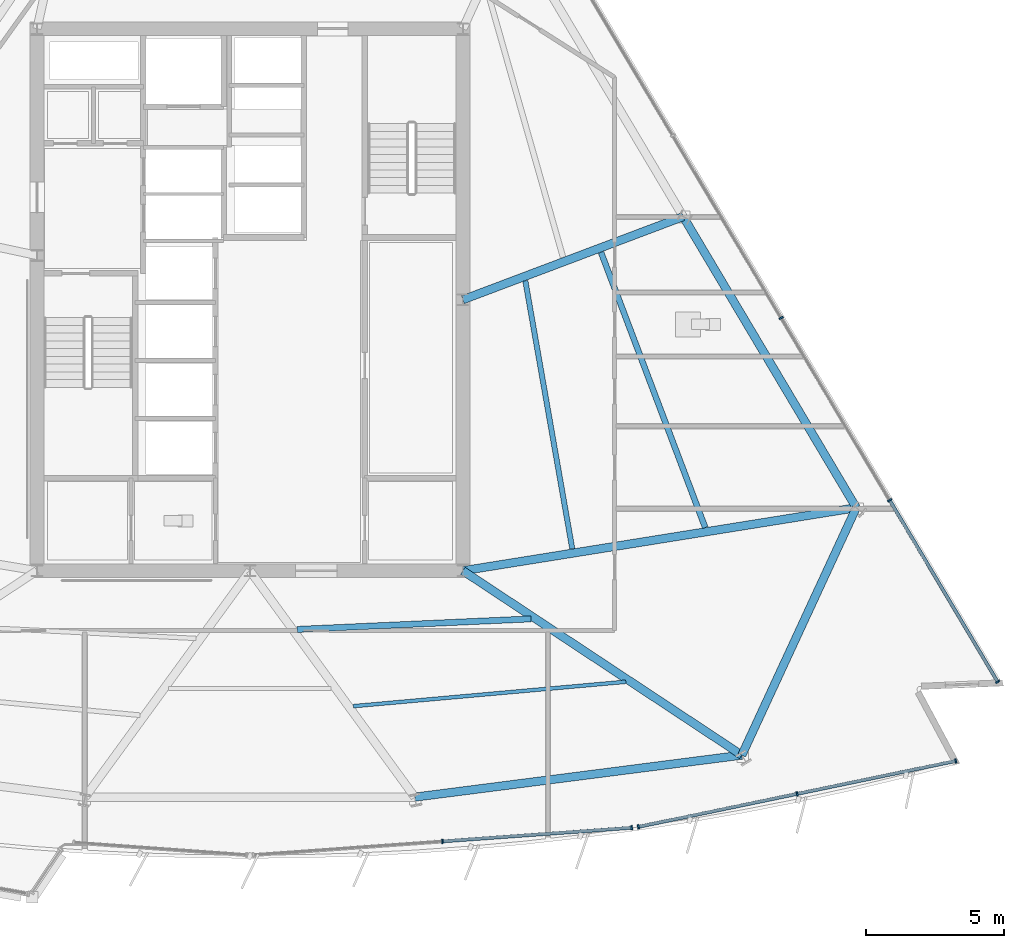
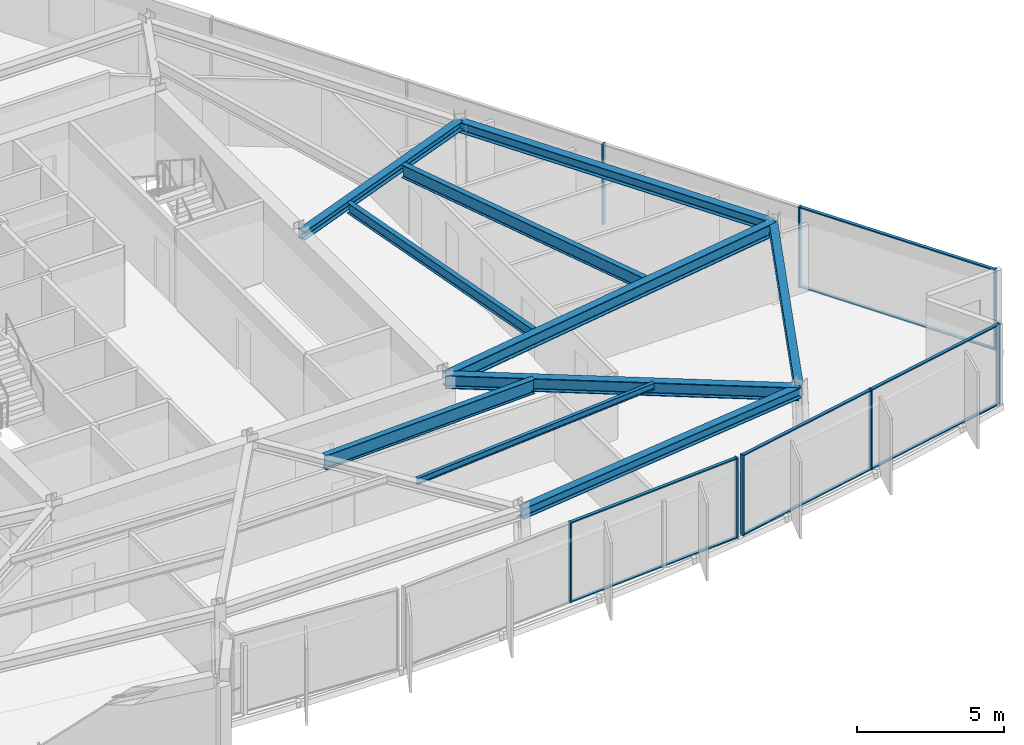
# One storey, part 5 of 16: 16 members, 10 beams, 3 elements without a shape of their own.
"""IFC4 building model written with IfcOpenShell, lengths in metres."""

from ifc_helpers import new_model, si_unit, direction, frame, origin, origin_2d, place, context, subcontext, project, spatial, rectangle, i_section, extrude, material, material_profile, profile_set, type_object, element, aggregate, save


model = new_model("IFC4")

# Units and contexts
model_context = context("Model", 3, precision=1e-05, world=origin(), true_north=direction((0.0, 1.0)))
body_context = subcontext(model_context, "Body", "Model", "MODEL_VIEW")
ifc_project = project(units=[si_unit("LENGTHUNIT", "METRE"), si_unit("AREAUNIT", "SQUARE_METRE"), si_unit("VOLUMEUNIT", "CUBIC_METRE"), si_unit("PLANEANGLEUNIT", "RADIAN"), si_unit("MASSUNIT", "GRAM", prefix="KILO")], contexts=[model_context])

# Site, building, storey
site_placement = place(None, origin())
site = spatial("IfcSite", under=ifc_project, at=site_placement, CompositionType="ELEMENT")
building_placement = place(site_placement, origin())
building = spatial("IfcBuilding", under=site, at=building_placement, Name="Savorim Split Tower", CompositionType="ELEMENT")
storey_placement = place(building_placement, frame((0.0, 0.0, 153.0)))
storey = spatial("IfcBuildingStorey", under=building, at=storey_placement, Name="L40", CompositionType="ELEMENT", Elevation=153.0)

# Beams
ifc_material_1 = material(Name="Steel S355", Category="steel")
ifc_material_profile_1 = material_profile(ifc_material_1, i_section(OverallWidth=0.135009765625, OverallDepth=0.27001953125, WebThickness=0.006591796875, FlangeThickness=0.01025390625, FilletRadius=0.014892578125, at=origin_2d()), Name="IPE 270")
ifc_profile_set_1 = profile_set([ifc_material_profile_1], Name="Steel S355")
beam_type_1 = type_object("IfcBeamType", Name="BM-JST-IPE270", PredefinedType="JOIST", material=ifc_profile_set_1)
beam_1_placement = place(storey_placement, frame((3.73583984375, -14.296875, 3.215087890625), z_axis=(0.996016445772, 0.089169724411, 0.0), x_axis=(-0.089169724411, 0.996016445772, 0.0)))
element("IfcBeam", 1, at=beam_1_placement, inside=storey, type_object=beam_type_1, Name="L40 Secondary Floor Joist JS-04", PredefinedType="JOIST", context=body_context, shape_type="SweptSolid", body=[
    extrude(i_section(OverallWidth=0.135009765625, OverallDepth=0.27001953125, WebThickness=0.006591796875, FlangeThickness=0.01025390625, FilletRadius=0.014892578125, at=origin_2d()), origin(), (0.0, 0.0, 1.0), 9.894775390625),
])
ifc_material_profile_2 = material_profile(ifc_material_1, i_section(OverallWidth=0.18994140625, OverallDepth=0.449951171875, WebThickness=0.009521484375, FlangeThickness=0.0146484375, FilletRadius=0.02099609375, at=origin_2d()), Name="IPE 450")
ifc_profile_set_2 = profile_set([ifc_material_profile_2], Name="Steel S355")
beam_type_2 = type_object("IfcBeamType", Name="BM-JST-IPE450", PredefinedType="JOIST", material=ifc_profile_set_2)
beam_2_placement = place(storey_placement, frame((11.65478515625, -8.60400390625, 3.125), z_axis=(-0.172544712142, 0.985001686451, 0.0), x_axis=(-0.985001686451, -0.172544712142, 0.0)))
element("IfcBeam", 2, at=beam_2_placement, inside=storey, type_object=beam_type_2, Name="L40 Secondary Floor Joist JS-08", PredefinedType="JOIST", context=body_context, shape_type="SweptSolid", body=[
    extrude(i_section(OverallWidth=0.18994140625, OverallDepth=0.449951171875, WebThickness=0.009521484375, FlangeThickness=0.0146484375, FilletRadius=0.02099609375, at=origin_2d()), origin(), (0.0, 0.0, 1.0), 9.835205078125),
])
ifc_material_profile_3 = material_profile(ifc_material_1, i_section(OverallWidth=0.2099609375, OverallDepth=0.550048828125, WebThickness=0.010986328125, FlangeThickness=0.01708984375, FilletRadius=0.02392578125, at=origin_2d()), Name="IPE 550")
ifc_profile_set_3 = profile_set([ifc_material_profile_3], Name="Steel S355")
beam_type_3 = type_object("IfcBeamType", Name="BM-JST-IPE550", PredefinedType="JOIST", material=ifc_profile_set_3)
beam_3_placement = place(storey_placement, frame((16.4619140625, -7.8369140625, 3.074951171875), z_axis=(-0.354068949981, 0.935219321154, 0.0), x_axis=(-0.935219321154, -0.354068949981, 0.0)))
element("IfcBeam", 3, at=beam_3_placement, inside=storey, type_object=beam_type_3, Name="L40 Secondary Floor Joist JS-06", PredefinedType="JOIST", context=body_context, shape_type="SweptSolid", body=[
    extrude(i_section(OverallWidth=0.2099609375, OverallDepth=0.550048828125, WebThickness=0.010986328125, FlangeThickness=0.01708984375, FilletRadius=0.02392578125, at=origin_2d()), origin(), (0.0, 0.0, 1.0), 10.639404296875),
])
ifc_material_profile_4 = material_profile(ifc_material_1, i_section(OverallWidth=0.219970703125, OverallDepth=0.60009765625, WebThickness=0.011962890625, FlangeThickness=0.01904296875, FilletRadius=0.02392578125, at=origin_2d()), Name="IPE 600")
ifc_profile_set_4 = profile_set([ifc_material_profile_4], Name="Steel S355")
beam_type_4 = type_object("IfcBeamType", Name="BM-JST-IPE600", PredefinedType="JOIST", material=ifc_profile_set_4)
beam_4_placement = place(storey_placement, frame((1.709716796875, -11.52099609375, 3.050048828125), z_axis=(0.998988963871, 0.044956090399, 0.0), x_axis=(-0.044956090399, 0.998988963871, 0.0)))
element("IfcBeam", 4, at=beam_4_placement, inside=storey, type_object=beam_type_4, Name="L40 Secondary Floor Joist JS-05", PredefinedType="JOIST", context=body_context, shape_type="SweptSolid", body=[
    extrude(i_section(OverallWidth=0.219970703125, OverallDepth=0.60009765625, WebThickness=0.011962890625, FlangeThickness=0.01904296875, FilletRadius=0.02392578125, at=origin_2d()), origin(), (0.0, 0.0, 1.0), 8.4609375),
])
ifc_material_profile_5 = material_profile(ifc_material_1, i_section(OverallWidth=0.300048828125, OverallDepth=0.360107421875, WebThickness=0.012451171875, FlangeThickness=0.0224609375, FilletRadius=0.027099609375, at=origin_2d()), Name="HEB 360")
ifc_profile_set_5 = profile_set([ifc_material_profile_5], Name="Steel S355")
beam_type_5 = type_object("IfcBeamType", Name="BM-PRI-HEB360", PredefinedType="BEAM", material=ifc_profile_set_5)
beam_5_placement = place(storey_placement, frame((15.664794921875, 3.40478515625, 3.169921875), z_axis=(-0.935629599811, -0.352983359321, 0.0), x_axis=(0.352983359321, -0.935629599811, 0.0)))
element("IfcBeam", 5, at=beam_5_placement, inside=storey, type_object=beam_type_5, Name="L40 Primary Floor Girder RG-06", PredefinedType="BEAM", context=body_context, shape_type="SweptSolid", body=[
    extrude(i_section(OverallWidth=0.300048828125, OverallDepth=0.360107421875, WebThickness=0.012451171875, FlangeThickness=0.0224609375, FilletRadius=0.027099609375, at=origin_2d()), origin(), (0.0, 0.0, 1.0), 8.5126953125),
])
ifc_material_profile_6 = material_profile(ifc_material_1, i_section(OverallWidth=0.300048828125, OverallDepth=0.550048828125, WebThickness=0.014892578125, FlangeThickness=0.029052734375, FilletRadius=0.027099609375, at=origin_2d()), Name="HEB 550")
ifc_profile_set_6 = profile_set([ifc_material_profile_6], Name="Steel S355")
beam_type_6 = type_object("IfcBeamType", Name="BM-PRI-HEB550", PredefinedType="BEAM", material=ifc_profile_set_6)
beam_6_placement = place(storey_placement, frame((17.78466796875, -16.06689453125, 3.074951171875), z_axis=(-0.834187839418, 0.551480415398, 0.0), x_axis=(-0.551480415398, -0.834187839418, 0.0)))
element("IfcBeam", 6, at=beam_6_placement, inside=storey, type_object=beam_type_6, Name="L40 Primary Floor Girder RG-04", PredefinedType="BEAM", context=body_context, shape_type="SweptSolid", body=[
    extrude(i_section(OverallWidth=0.300048828125, OverallDepth=0.550048828125, WebThickness=0.014892578125, FlangeThickness=0.029052734375, FilletRadius=0.027099609375, at=origin_2d()), origin(), (0.0, 0.0, 1.0), 12.08935546875),
])
beam_7_placement = place(storey_placement, frame((21.92333984375, -7.120361328125, 3.074951171875), z_axis=(-0.987399456814, -0.158247630894, 0.0), x_axis=(0.158247630894, -0.987399456814, 0.0)))
element("IfcBeam", 7, at=beam_7_placement, inside=storey, type_object=beam_type_6, Name="L40 Primary Floor Girder RG-05", PredefinedType="BEAM", context=body_context, shape_type="SweptSolid", body=[
    extrude(i_section(OverallWidth=0.300048828125, OverallDepth=0.550048828125, WebThickness=0.014892578125, FlangeThickness=0.029052734375, FilletRadius=0.027099609375, at=origin_2d()), origin(), (0.0, 0.0, 1.0), 14.40478515625),
])
ifc_material_profile_7 = material_profile(ifc_material_1, i_section(OverallWidth=0.300048828125, OverallDepth=0.43994140625, WebThickness=0.011474609375, FlangeThickness=0.02099609375, FilletRadius=0.027099609375, at=origin_2d()), Name="HEA 450")
ifc_profile_set_7 = profile_set([ifc_material_profile_7], Name="Steel S355")
beam_type_7 = type_object("IfcBeamType", Name="BM-SPN-HEA450", PredefinedType="SPANDREL", material=ifc_profile_set_7)
beam_8_placement = place(storey_placement, frame((5.960693359375, -17.585205078125, 3.1298828125), z_axis=(0.991856078035, 0.127363732925, 0.0), x_axis=(-0.127363732925, 0.991856078035, 0.0)))
element("IfcBeam", 8, at=beam_8_placement, inside=storey, type_object=beam_type_7, Name="L40 Perimeter Spandrel Beam 3", PredefinedType="SPANDREL", context=body_context, shape_type="SweptSolid", body=[
    extrude(i_section(OverallWidth=0.300048828125, OverallDepth=0.43994140625, WebThickness=0.011474609375, FlangeThickness=0.02099609375, FilletRadius=0.027099609375, at=origin_2d()), origin(), (0.0, 0.0, 1.0), 11.921142578125),
])
beam_9_placement = place(storey_placement, frame((17.78466796875, -16.06689453125, 3.1298828125), z_axis=(0.419852740439, 0.907592241233, 0.0), x_axis=(-0.907592241233, 0.419852740439, 0.0)))
element("IfcBeam", 9, at=beam_9_placement, inside=storey, type_object=beam_type_7, Name="L40 Perimeter Spandrel Beam 4", PredefinedType="SPANDREL", context=body_context, shape_type="SweptSolid", body=[
    extrude(i_section(OverallWidth=0.300048828125, OverallDepth=0.43994140625, WebThickness=0.011474609375, FlangeThickness=0.02099609375, FilletRadius=0.027099609375, at=origin_2d()), origin(), (0.0, 0.0, 1.0), 9.857421875),
])
beam_10_placement = place(storey_placement, frame((21.92333984375, -7.120361328125, 3.1298828125), z_axis=(-0.511096492203, 0.859523342125, 0.0), x_axis=(-0.859523342125, -0.511096492203, 0.0)))
element("IfcBeam", 10, at=beam_10_placement, inside=storey, type_object=beam_type_7, Name="L40 Perimeter Spandrel Beam 5", PredefinedType="SPANDREL", context=body_context, shape_type="SweptSolid", body=[
    extrude(i_section(OverallWidth=0.300048828125, OverallDepth=0.43994140625, WebThickness=0.011474609375, FlangeThickness=0.02099609375, FilletRadius=0.027099609375, at=origin_2d()), origin(), (0.0, 0.0, 1.0), 12.245361328125),
])

# Curtain wall, members
ifc_material_2 = material(Name="Dark Ceramic-Fritted Insulated Glass", Category="glass")
curtain_wall_type = type_object("IfcCurtainWallType", Name="CW-TWR-FRIT-B", PredefinedType="NOTDEFINED", material=ifc_material_2)
curtain_wall_1_placement = place(storey_placement, origin())
curtain_wall_1 = element("IfcCurtainWall", 11, at=curtain_wall_1_placement, inside=storey, type_object=curtain_wall_type, Name="L40 Curtain Wall CW-L40-SF3A", PredefinedType="NOTDEFINED")
ifc_material_3 = material(Name="Charcoal Anodised Aluminium", Category="aluminium")
ifc_material_profile_8 = material_profile(ifc_material_3, rectangle(XDim=0.159912109375, YDim=0.06005859375, at=origin_2d()), Name="ALU-M 160x60")
ifc_profile_set_8 = profile_set([ifc_material_profile_8], Name="Charcoal Anodised Aluminium")
member_type_1 = type_object("IfcMemberType", Name="CWM-160x60", PredefinedType="MULLION", material=ifc_profile_set_8)
member_1_placement = place(storey_placement, frame((6.9619140625, -19.181884765625, 0.0), z_axis=(0.0, 0.0, 1.0), x_axis=(-0.071562741149, 0.997436100249, 0.0)))
member_1 = element("IfcMember", 12, at=member_1_placement, type_object=member_type_1, Name="CW-03 mullion 2", PredefinedType="MULLION", context=body_context, shape_type="SweptSolid", body=[
    extrude(rectangle(XDim=0.159912109375, YDim=0.06005859375, at=origin_2d()), origin(), (0.0, 0.0, 1.0), 3.35009765625),
])
member_2_placement = place(storey_placement, frame((13.802734375, -18.691162109375, 0.0), z_axis=(0.0, 0.0, 1.0), x_axis=(-0.071562741149, 0.997436100249, 0.0)))
member_2 = element("IfcMember", 13, at=member_2_placement, type_object=member_type_1, Name="CW-03 mullion 3", PredefinedType="MULLION", context=body_context, shape_type="SweptSolid", body=[
    extrude(rectangle(XDim=0.159912109375, YDim=0.06005859375, at=origin_2d()), origin(), (0.0, 0.0, 1.0), 3.35009765625),
])

curtain_wall_2_placement = place(storey_placement, origin())
curtain_wall_2 = element("IfcCurtainWall", 14, at=curtain_wall_2_placement, inside=storey, type_object=curtain_wall_type, Name="L40 Curtain Wall CW-L40-SF4A", PredefinedType="NOTDEFINED")
member_3_placement = place(storey_placement, frame((14.043701171875, -18.657470703125, 0.0), z_axis=(0.0, 0.0, 1.0), x_axis=(-0.20321231183, 0.979134697741, 0.0)))
member_3 = element("IfcMember", 15, at=member_3_placement, type_object=member_type_1, Name="CW-03 mullion 1", PredefinedType="MULLION", context=body_context, shape_type="SweptSolid", body=[
    extrude(rectangle(XDim=0.159912109375, YDim=0.06005859375, at=origin_2d()), origin(), (0.0, 0.0, 1.0), 3.35009765625),
])
member_4_placement = place(storey_placement, frame((19.782958984375, -17.46630859375, 0.0), z_axis=(0.0, 0.0, 1.0), x_axis=(-0.20321231183, 0.979134697741, 0.0)))
member_4 = element("IfcMember", 16, at=member_4_placement, type_object=member_type_1, Name="CW-03 mullion 2", PredefinedType="MULLION", context=body_context, shape_type="SweptSolid", body=[
    extrude(rectangle(XDim=0.159912109375, YDim=0.06005859375, at=origin_2d()), origin(), (0.0, 0.0, 1.0), 3.35009765625),
])
member_5_placement = place(storey_placement, frame((25.52197265625, -16.275390625, 0.0), z_axis=(0.0, 0.0, 1.0), x_axis=(-0.20321231183, 0.979134697741, 0.0)))
member_5 = element("IfcMember", 17, at=member_5_placement, type_object=member_type_1, Name="CW-03 mullion 3", PredefinedType="MULLION", context=body_context, shape_type="SweptSolid", body=[
    extrude(rectangle(XDim=0.159912109375, YDim=0.06005859375, at=origin_2d()), origin(), (0.0, 0.0, 1.0), 3.35009765625),
])

curtain_wall_3_placement = place(storey_placement, origin())
curtain_wall_3 = element("IfcCurtainWall", 18, at=curtain_wall_3_placement, inside=storey, type_object=curtain_wall_type, Name="L40 Curtain Wall CW-L40-EAST", PredefinedType="NOTDEFINED")
member_6_placement = place(storey_placement, frame((27.03369140625, -13.41552734375, 0.0), z_axis=(0.0, 0.0, 1.0), x_axis=(-0.859526328423, -0.511091470039, 0.0)))
member_6 = element("IfcMember", 19, at=member_6_placement, type_object=member_type_1, Name="CW-03 mullion 1", PredefinedType="MULLION", context=body_context, shape_type="SweptSolid", body=[
    extrude(rectangle(XDim=0.159912109375, YDim=0.06005859375, at=origin_2d()), origin(), (0.0, 0.0, 1.0), 3.35009765625),
])
member_7_placement = place(storey_placement, frame((23.12939453125, -6.849609375, 0.0), z_axis=(0.0, 0.0, 1.0), x_axis=(-0.859526328423, -0.511091470039, 0.0)))
member_7 = element("IfcMember", 20, at=member_7_placement, type_object=member_type_1, Name="CW-03 mullion 2", PredefinedType="MULLION", context=body_context, shape_type="SweptSolid", body=[
    extrude(rectangle(XDim=0.159912109375, YDim=0.06005859375, at=origin_2d()), origin(), (0.0, 0.0, 1.0), 3.35009765625),
])
member_8_placement = place(storey_placement, frame((19.209716796875, -0.257568359375, 0.0), z_axis=(0.0, 0.0, 1.0), x_axis=(-0.859526328423, -0.511091470039, 0.0)))
member_8 = element("IfcMember", 21, at=member_8_placement, type_object=member_type_1, Name="CW-03 mullion 3", PredefinedType="MULLION", context=body_context, shape_type="SweptSolid", body=[
    extrude(rectangle(XDim=0.159912109375, YDim=0.06005859375, at=origin_2d()), origin(), (0.0, 0.0, 1.0), 3.35009765625),
])

# Member
ifc_material_profile_9 = material_profile(ifc_material_3, rectangle(XDim=0.1201171875, YDim=0.050048828125, at=origin_2d()), Name="ALU-T 120x50")
ifc_profile_set_9 = profile_set([ifc_material_profile_9], Name="Charcoal Anodised Aluminium")
member_type_2 = type_object("IfcMemberType", Name="CWT-120x50", PredefinedType="USERDEFINED", material=ifc_profile_set_9)
member_9_placement = place(storey_placement, frame((6.991943359375, -19.1796875, 0.02490234375), z_axis=(0.99743531229, 0.071573722812, 0.0), x_axis=(-0.071573722812, 0.99743531229, 0.0)))
member_9 = element("IfcMember", 22, at=member_9_placement, type_object=member_type_2, Name="CW-03 transom 2.1", ObjectType="TRANSOM", PredefinedType="USERDEFINED", context=body_context, shape_type="SweptSolid", body=[
    extrude(rectangle(XDim=0.1201171875, YDim=0.050048828125, at=origin_2d()), origin(), (0.0, 0.0, 1.0), 6.798095703125),
])

member_10_placement = place(storey_placement, frame((6.991943359375, -19.1796875, 3.324951171875), z_axis=(0.99743531229, 0.071573722812, 0.0), x_axis=(-0.071573722812, 0.99743531229, 0.0)))
member_10 = element("IfcMember", 23, at=member_10_placement, type_object=member_type_2, Name="CW-03 transom 2.2", ObjectType="TRANSOM", PredefinedType="USERDEFINED", context=body_context, shape_type="SweptSolid", body=[
    extrude(rectangle(XDim=0.1201171875, YDim=0.050048828125, at=origin_2d()), origin(), (0.0, 0.0, 1.0), 6.798095703125),
])

aggregate(curtain_wall_1, [member_1, member_2, member_9, member_10])

member_11_placement = place(storey_placement, frame((14.0732421875, -18.6513671875, 0.02490234375), z_axis=(0.979132099481, 0.203224830585, 0.0), x_axis=(-0.203224830585, 0.979132099481, 0.0)))
member_11 = element("IfcMember", 24, at=member_11_placement, type_object=member_type_2, Name="CW-03 transom 1.1", ObjectType="TRANSOM", PredefinedType="USERDEFINED", context=body_context, shape_type="SweptSolid", body=[
    extrude(rectangle(XDim=0.1201171875, YDim=0.050048828125, at=origin_2d()), origin(), (0.0, 0.0, 1.0), 5.80126953125),
])

member_12_placement = place(storey_placement, frame((14.0732421875, -18.6513671875, 3.324951171875), z_axis=(0.979132099481, 0.203224830585, 0.0), x_axis=(-0.203224830585, 0.979132099481, 0.0)))
member_12 = element("IfcMember", 25, at=member_12_placement, type_object=member_type_2, Name="CW-03 transom 1.2", ObjectType="TRANSOM", PredefinedType="USERDEFINED", context=body_context, shape_type="SweptSolid", body=[
    extrude(rectangle(XDim=0.1201171875, YDim=0.050048828125, at=origin_2d()), origin(), (0.0, 0.0, 1.0), 5.80126953125),
])

member_13_placement = place(storey_placement, frame((19.812255859375, -17.460205078125, 0.02490234375), z_axis=(0.979140472811, 0.203184483914, 0.0), x_axis=(-0.203184483914, 0.979140472811, 0.0)))
member_13 = element("IfcMember", 26, at=member_13_placement, type_object=member_type_2, Name="CW-03 transom 2.1", ObjectType="TRANSOM", PredefinedType="USERDEFINED", context=body_context, shape_type="SweptSolid", body=[
    extrude(rectangle(XDim=0.1201171875, YDim=0.050048828125, at=origin_2d()), origin(), (0.0, 0.0, 1.0), 5.80126953125),
])

member_14_placement = place(storey_placement, frame((19.812255859375, -17.460205078125, 3.324951171875), z_axis=(0.979140472811, 0.203184483914, 0.0), x_axis=(-0.203184483914, 0.979140472811, 0.0)))
member_14 = element("IfcMember", 27, at=member_14_placement, type_object=member_type_2, Name="CW-03 transom 2.2", ObjectType="TRANSOM", PredefinedType="USERDEFINED", context=body_context, shape_type="SweptSolid", body=[
    extrude(rectangle(XDim=0.1201171875, YDim=0.050048828125, at=origin_2d()), origin(), (0.0, 0.0, 1.0), 5.80126953125),
])

aggregate(curtain_wall_2, [member_3, member_4, member_5, member_11, member_12, member_13, member_14])

member_15_placement = place(storey_placement, frame((27.0185546875, -13.389892578125, 0.02490234375), z_axis=(-0.511095331359, 0.859524032394, 0.0), x_axis=(-0.859524032394, -0.511095331359, 0.0)))
member_15 = element("IfcMember", 28, at=member_15_placement, type_object=member_type_2, Name="CW-03 transom 1.1", ObjectType="TRANSOM", PredefinedType="USERDEFINED", context=body_context, shape_type="SweptSolid", body=[
    extrude(rectangle(XDim=0.1201171875, YDim=0.050048828125, at=origin_2d()), origin(), (0.0, 0.0, 1.0), 7.579345703125),
])

member_16_placement = place(storey_placement, frame((27.0185546875, -13.389892578125, 3.324951171875), z_axis=(-0.511095331359, 0.859524032394, 0.0), x_axis=(-0.859524032394, -0.511095331359, 0.0)))
member_16 = element("IfcMember", 29, at=member_16_placement, type_object=member_type_2, Name="CW-03 transom 1.2", ObjectType="TRANSOM", PredefinedType="USERDEFINED", context=body_context, shape_type="SweptSolid", body=[
    extrude(rectangle(XDim=0.1201171875, YDim=0.050048828125, at=origin_2d()), origin(), (0.0, 0.0, 1.0), 7.579345703125),
])

aggregate(curtain_wall_3, [member_6, member_7, member_8, member_15, member_16])

save(model, "model.ifc")
